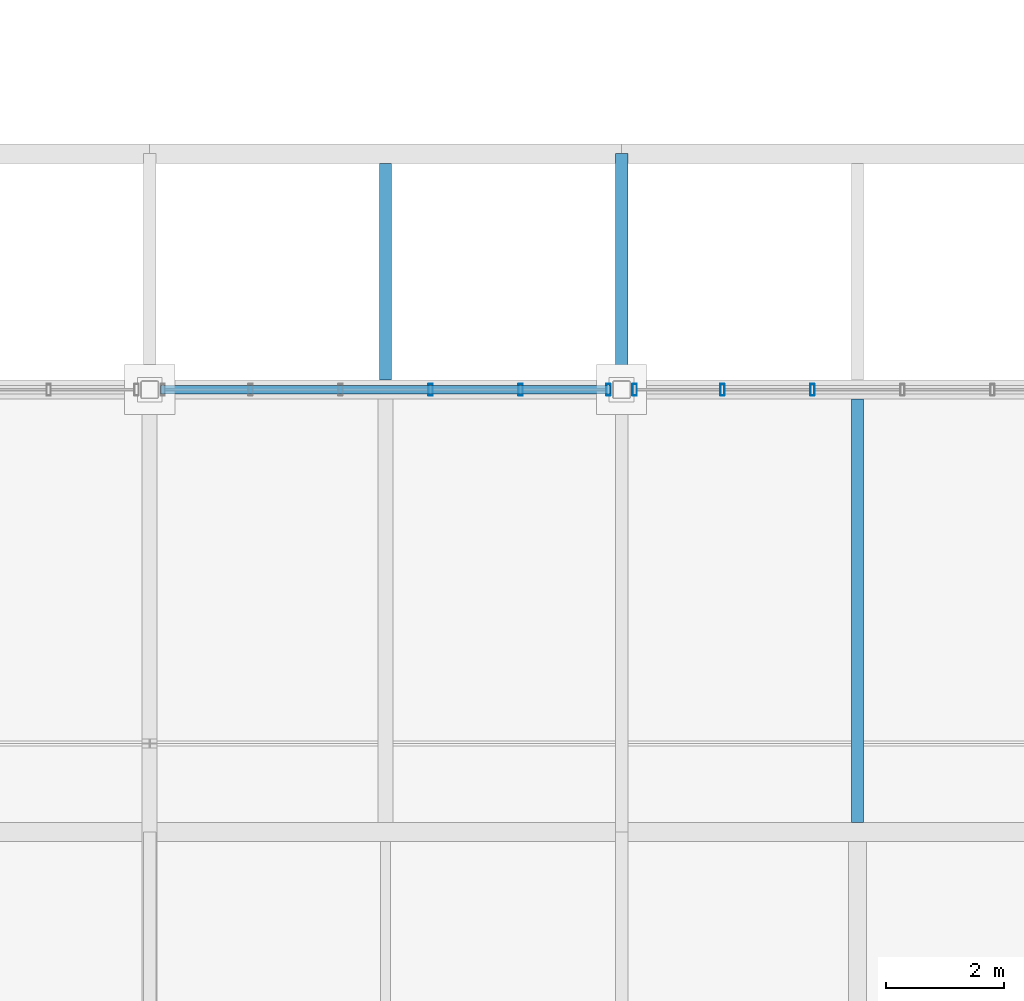
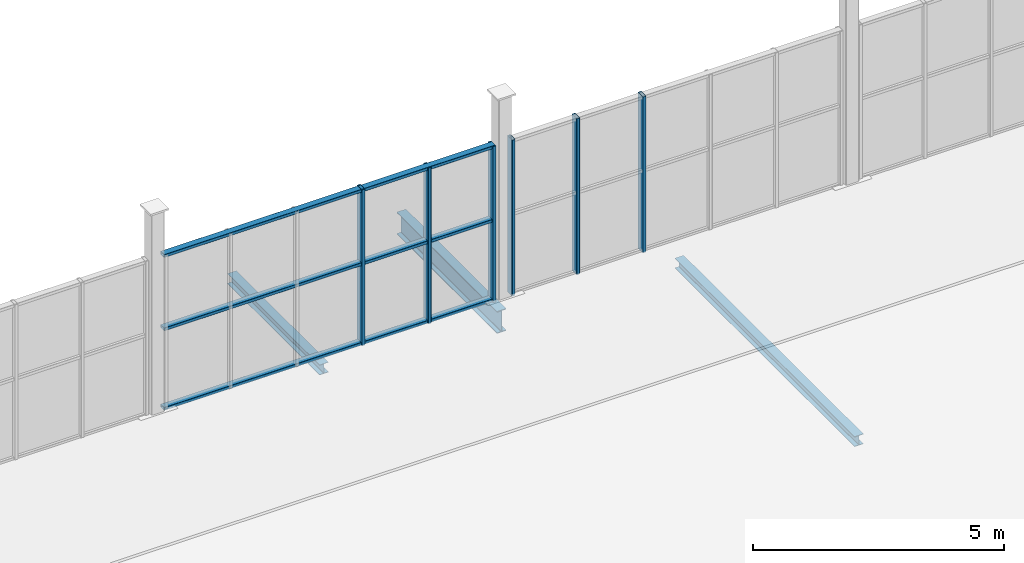
# One storey, part 41 of 96: 9 members, 3 beams, 2 elements without a shape of their own.
"""IFC4 building model written with IfcOpenShell, lengths in metres."""

from ifc_helpers import new_model, si_unit, direction, frame, origin, origin_2d, place, context, subcontext, project, spatial, hollow_rectangle, i_section, extrude, material, material_profile, profile_set, type_object, element, aggregate, save


model = new_model("IFC4")

# Units and contexts
model_context = context("Model", 3, precision=1e-05, world=origin(), true_north=direction((0.0, 1.0)))
body_context = subcontext(model_context, "Body", "Model", "MODEL_VIEW")
ifc_project = project(units=[si_unit("LENGTHUNIT", "METRE"), si_unit("AREAUNIT", "SQUARE_METRE"), si_unit("VOLUMEUNIT", "CUBIC_METRE"), si_unit("PLANEANGLEUNIT", "RADIAN"), si_unit("MASSUNIT", "GRAM", prefix="KILO")], contexts=[model_context])

# Site, building, storey
site_placement = place(None, origin())
site = spatial("IfcSite", under=ifc_project, at=site_placement, CompositionType="ELEMENT")
building_placement = place(site_placement, origin())
building = spatial("IfcBuilding", under=site, at=building_placement, Name="Verrall Gate Interchange", CompositionType="ELEMENT")
storey_placement = place(building_placement, frame((0.0, 0.0, 11.39990234375)))
storey = spatial("IfcBuildingStorey", under=building, at=storey_placement, Name="L03", CompositionType="ELEMENT", Elevation=11.39990234375)

# Beam
ifc_material_1 = material(Name="Structural Steel CSA G40.21 350W", Category="steel")
ifc_material_profile_1 = material_profile(ifc_material_1, i_section(OverallWidth=0.2109375, OverallDepth=0.5390625, WebThickness=0.01171875, FlangeThickness=0.018798828125, FilletRadius=0.013916015625, at=origin_2d()), Name="W530x109")
ifc_profile_set_1 = profile_set([ifc_material_profile_1], Name="Structural Steel CSA G40.21 350W")
beam_type_1 = type_object("IfcBeamType", Name="B-10 Structural Beam W530x109", PredefinedType="BEAM", material=ifc_profile_set_1)
beam_1_placement = place(storey_placement, frame((84.0, 12.0, -0.599365234375), z_axis=(0.0, 1.0, 0.0), x_axis=(-1.0, 0.0, 0.0)))
element("IfcBeam", 1, at=beam_1_placement, inside=storey, type_object=beam_type_1, Name="L03 Girder BM-L03-2298 (B-10)", PredefinedType="BEAM", context=body_context, shape_type="SweptSolid", body=[
    extrude(i_section(OverallWidth=0.2109375, OverallDepth=0.5390625, WebThickness=0.01171875, FlangeThickness=0.018798828125, FilletRadius=0.013916015625, at=origin_2d()), origin(), (0.0, 0.0, 1.0), 4.0),
])

# Curtain wall, members
ifc_material_2 = material(Name="Thermally Broken Anodized Aluminium Curtain Wall Framing", Category="aluminium")
curtain_wall_type = type_object("IfcCurtainWallType", Name="CW-53 Unitized Curtain Wall 7631x3800", PredefinedType="NOTDEFINED", material=ifc_material_2)
curtain_wall_1_placement = place(storey_placement, origin())
curtain_wall_1 = element("IfcCurtainWall", 2, at=curtain_wall_1_placement, inside=storey, type_object=curtain_wall_type, Name="L03 Unitized Curtain Wall CW-L03-CLR-169", PredefinedType="NOTDEFINED")
ifc_material_3 = material(Name="Thermally Broken Anodized Aluminium Curtain Wall Framing", Category="aluminium")
ifc_material_profile_2 = material_profile(ifc_material_3, hollow_rectangle(XDim=0.074951171875, YDim=0.199951171875, WallThickness=0.0048828125, InnerFilletRadius=0.0048828125, OuterFilletRadius=0.010009765625, at=origin_2d()), Name="CWM200x75x5")
ifc_profile_set_2 = profile_set([ifc_material_profile_2], Name="Thermally Broken Anodized Aluminium Curtain Wall Framing")
member_type_1 = type_object("IfcMemberType", Name="CM-02 Curtain Mullion CWM200x75x5", PredefinedType="MULLION", material=ifc_profile_set_2)
member_1_placement = place(storey_placement, frame((80.76318359375, 12.0, 0.0), z_axis=(0.0, 0.0, 1.0), x_axis=(1.0, 0.0, 0.0)))
member_1 = element("IfcMember", 3, at=member_1_placement, type_object=member_type_1, Name="CW-L03-CLR-169 Mullion 4", PredefinedType="MULLION", context=body_context, shape_type="SweptSolid", body=[
    extrude(hollow_rectangle(XDim=0.074951171875, YDim=0.199951171875, WallThickness=0.0048828125, InnerFilletRadius=0.0048828125, OuterFilletRadius=0.010009765625, at=origin_2d()), origin(), (0.0, 0.0, 1.0), 3.800048828125),
])
member_2_placement = place(storey_placement, frame((82.289306640625, 12.0, 0.0), z_axis=(0.0, 0.0, 1.0), x_axis=(1.0, 0.0, 0.0)))
member_2 = element("IfcMember", 4, at=member_2_placement, type_object=member_type_1, Name="CW-L03-CLR-169 Mullion 5", PredefinedType="MULLION", context=body_context, shape_type="SweptSolid", body=[
    extrude(hollow_rectangle(XDim=0.074951171875, YDim=0.199951171875, WallThickness=0.0048828125, InnerFilletRadius=0.0048828125, OuterFilletRadius=0.010009765625, at=origin_2d()), origin(), (0.0, 0.0, 1.0), 3.800048828125),
])
member_3_placement = place(storey_placement, frame((83.778076171875, 12.0, 0.0), z_axis=(0.0, 0.0, 1.0), x_axis=(1.0, 0.0, 0.0)))
member_3 = element("IfcMember", 5, at=member_3_placement, type_object=member_type_1, Name="CW-L03-CLR-169 Mullion 6", PredefinedType="MULLION", context=body_context, shape_type="SweptSolid", body=[
    extrude(hollow_rectangle(XDim=0.074951171875, YDim=0.199951171875, WallThickness=0.0048828125, InnerFilletRadius=0.0048828125, OuterFilletRadius=0.010009765625, at=origin_2d()), origin(), (0.0, 0.0, 1.0), 3.800048828125),
])

curtain_wall_2_placement = place(storey_placement, origin())
curtain_wall_2 = element("IfcCurtainWall", 6, at=curtain_wall_2_placement, inside=storey, type_object=curtain_wall_type, Name="L03 Unitized Curtain Wall CW-L03-CLR-170", PredefinedType="NOTDEFINED")
member_4_placement = place(storey_placement, frame((84.221923828125, 12.0, 0.0), z_axis=(0.0, 0.0, 1.0), x_axis=(1.0, 0.0, 0.0)))
member_4 = element("IfcMember", 7, at=member_4_placement, type_object=member_type_1, Name="CW-L03-CLR-170 Mullion 1", PredefinedType="MULLION", context=body_context, shape_type="SweptSolid", body=[
    extrude(hollow_rectangle(XDim=0.074951171875, YDim=0.199951171875, WallThickness=0.0048828125, InnerFilletRadius=0.0048828125, OuterFilletRadius=0.010009765625, at=origin_2d()), origin(), (0.0, 0.0, 1.0), 3.800048828125),
])
member_5_placement = place(storey_placement, frame((85.710693359375, 12.0, 0.0), z_axis=(0.0, 0.0, 1.0), x_axis=(1.0, 0.0, 0.0)))
member_5 = element("IfcMember", 8, at=member_5_placement, type_object=member_type_1, Name="CW-L03-CLR-170 Mullion 2", PredefinedType="MULLION", context=body_context, shape_type="SweptSolid", body=[
    extrude(hollow_rectangle(XDim=0.074951171875, YDim=0.199951171875, WallThickness=0.0048828125, InnerFilletRadius=0.0048828125, OuterFilletRadius=0.010009765625, at=origin_2d()), origin(), (0.0, 0.0, 1.0), 3.800048828125),
])
member_6_placement = place(storey_placement, frame((87.23681640625, 12.0, 0.0), z_axis=(0.0, 0.0, 1.0), x_axis=(1.0, 0.0, 0.0)))
member_6 = element("IfcMember", 9, at=member_6_placement, type_object=member_type_1, Name="CW-L03-CLR-170 Mullion 3", PredefinedType="MULLION", context=body_context, shape_type="SweptSolid", body=[
    extrude(hollow_rectangle(XDim=0.074951171875, YDim=0.199951171875, WallThickness=0.0048828125, InnerFilletRadius=0.0048828125, OuterFilletRadius=0.010009765625, at=origin_2d()), origin(), (0.0, 0.0, 1.0), 3.800048828125),
])
aggregate(curtain_wall_2, [member_4, member_5, member_6])

# Member
ifc_material_4 = material(Name="Thermally Broken Anodized Aluminium Curtain Wall Framing", Category="aluminium")
ifc_material_profile_3 = material_profile(ifc_material_4, hollow_rectangle(XDim=0.14990234375, YDim=0.074951171875, WallThickness=0.00439453125, InnerFilletRadius=0.00439453125, OuterFilletRadius=0.009033203125, at=origin_2d()), Name="CWT150x75x4.5")
ifc_profile_set_3 = profile_set([ifc_material_profile_3], Name="Thermally Broken Anodized Aluminium Curtain Wall Framing")
member_type_2 = type_object("IfcMemberType", Name="CT-02 Curtain Transom CWT150x75x4.5", PredefinedType="USERDEFINED", material=ifc_profile_set_3)
member_7_placement = place(storey_placement, frame((76.1845703125, 12.0, 0.03759765625), z_axis=(1.0, 0.0, 0.0), x_axis=(0.0, 1.0, 0.0)))
member_7 = element("IfcMember", 10, at=member_7_placement, type_object=member_type_2, Name="CW-L03-CLR-169 Transom 1", ObjectType="TRANSOM", PredefinedType="USERDEFINED", context=body_context, shape_type="SweptSolid", body=[
    extrude(hollow_rectangle(XDim=0.14990234375, YDim=0.074951171875, WallThickness=0.00439453125, InnerFilletRadius=0.00439453125, OuterFilletRadius=0.009033203125, at=origin_2d()), origin(), (0.0, 0.0, 1.0), 7.630859375),
])

member_8_placement = place(storey_placement, frame((76.1845703125, 12.0, 1.97607421875), z_axis=(1.0, 0.0, 0.0), x_axis=(0.0, 1.0, 0.0)))
member_8 = element("IfcMember", 11, at=member_8_placement, type_object=member_type_2, Name="CW-L03-CLR-169 Transom 2", ObjectType="TRANSOM", PredefinedType="USERDEFINED", context=body_context, shape_type="SweptSolid", body=[
    extrude(hollow_rectangle(XDim=0.14990234375, YDim=0.074951171875, WallThickness=0.00439453125, InnerFilletRadius=0.00439453125, OuterFilletRadius=0.009033203125, at=origin_2d()), origin(), (0.0, 0.0, 1.0), 7.630859375),
])

member_9_placement = place(storey_placement, frame((76.1845703125, 12.0, 3.7626953125), z_axis=(1.0, 0.0, 0.0), x_axis=(0.0, 1.0, 0.0)))
member_9 = element("IfcMember", 12, at=member_9_placement, type_object=member_type_2, Name="CW-L03-CLR-169 Transom 3", ObjectType="TRANSOM", PredefinedType="USERDEFINED", context=body_context, shape_type="SweptSolid", body=[
    extrude(hollow_rectangle(XDim=0.14990234375, YDim=0.074951171875, WallThickness=0.00439453125, InnerFilletRadius=0.00439453125, OuterFilletRadius=0.009033203125, at=origin_2d()), origin(), (0.0, 0.0, 1.0), 7.630859375),
])

aggregate(curtain_wall_1, [member_1, member_2, member_3, member_7, member_8, member_9])

# Beams
ifc_material_5 = material(Name="Structural Steel CSA G40.21 350W", Category="steel")
ifc_material_profile_4 = material_profile(ifc_material_5, i_section(OverallWidth=0.201904296875, OverallDepth=0.2470703125, WebThickness=0.00732421875, FlangeThickness=0.010986328125, FilletRadius=0.010986328125, at=origin_2d()), Name="W250x49")
ifc_profile_set_4 = profile_set([ifc_material_profile_4], Name="Structural Steel CSA G40.21 350W")
beam_type_2 = type_object("IfcBeamType", Name="J-06 Floor Joist W250x49", PredefinedType="JOIST", material=ifc_profile_set_4)
beam_2_placement = place(storey_placement, frame((88.0, 4.662109375, -0.453369140625), z_axis=(0.0, 1.0, 0.0), x_axis=(-1.0, 0.0, 0.0)))
element("IfcBeam", 13, at=beam_2_placement, inside=storey, type_object=beam_type_2, Name="L03 Secondary Floor Joist JST-L03-2404", PredefinedType="JOIST", context=body_context, shape_type="SweptSolid", body=[
    extrude(i_section(OverallWidth=0.201904296875, OverallDepth=0.2470703125, WebThickness=0.00732421875, FlangeThickness=0.010986328125, FilletRadius=0.010986328125, at=origin_2d()), origin(), (0.0, 0.0, 1.0), 7.17578125),
])
beam_3_placement = place(storey_placement, frame((80.0, 12.162109375, -0.453369140625), z_axis=(0.0, 1.0, 0.0), x_axis=(-1.0, 0.0, 0.0)))
element("IfcBeam", 14, at=beam_3_placement, inside=storey, type_object=beam_type_2, Name="L03 Secondary Floor Joist JST-L03-2415", PredefinedType="JOIST", context=body_context, shape_type="SweptSolid", body=[
    extrude(i_section(OverallWidth=0.201904296875, OverallDepth=0.2470703125, WebThickness=0.00732421875, FlangeThickness=0.010986328125, FilletRadius=0.010986328125, at=origin_2d()), origin(), (0.0, 0.0, 1.0), 3.67578125),
])

save(model, "model.ifc")
